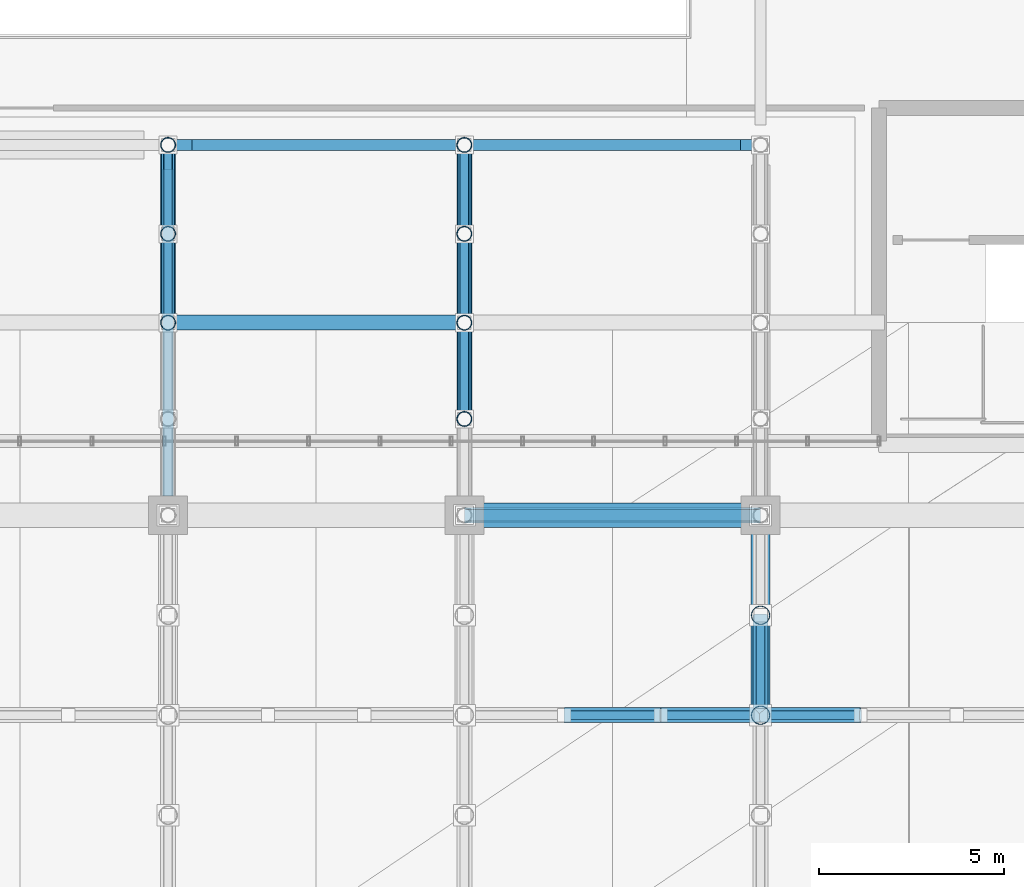
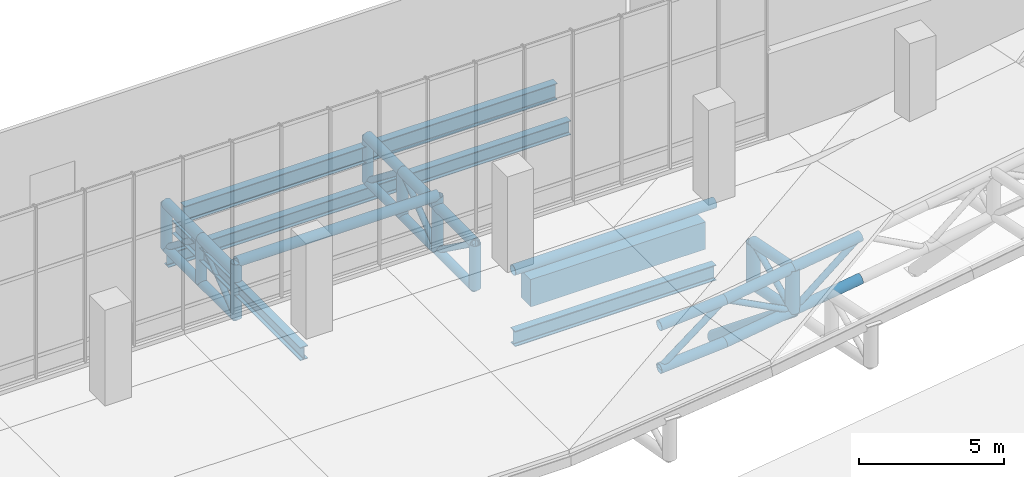
# One storey, part 31 of 137: 39 members, 5 beams.
"""IFC4 building model written with IfcOpenShell, lengths in metres."""

from ifc_helpers import new_model, si_unit, direction, frame, origin, origin_2d, place, context, subcontext, project, spatial, rectangle, hollow_circle, i_section, extrude, material, material_profile, profile_set, type_object, element, save


model = new_model("IFC4")

# Units and contexts
model_context = context("Model", 3, precision=1e-05, world=origin(), true_north=direction((0.0, 1.0)))
body_context = subcontext(model_context, "Body", "Model", "MODEL_VIEW")
ifc_project = project(units=[si_unit("LENGTHUNIT", "METRE"), si_unit("AREAUNIT", "SQUARE_METRE"), si_unit("VOLUMEUNIT", "CUBIC_METRE"), si_unit("PLANEANGLEUNIT", "RADIAN"), si_unit("MASSUNIT", "GRAM", prefix="KILO")], contexts=[model_context])

# Site, building, storey
site_placement = place(None, origin())
site = spatial("IfcSite", under=ifc_project, at=site_placement, CompositionType="ELEMENT")
building_placement = place(site_placement, origin())
building = spatial("IfcBuilding", under=site, at=building_placement, Name="Khorjan Park Terminus", CompositionType="ELEMENT")
storey_placement = place(building_placement, frame((0.0, 0.0, 11.4)))
storey = spatial("IfcBuildingStorey", under=building, at=storey_placement, Name="L02", CompositionType="ELEMENT", Elevation=11.4)

# Beams
ifc_material_1 = material(Name="Steel S355", Category="steel")
ifc_material_profile_1 = material_profile(ifc_material_1, i_section(OverallWidth=0.3, OverallDepth=0.59, WebThickness=0.013, FlangeThickness=0.025, FilletRadius=0.027, at=origin_2d()), Name="HEA 600")
ifc_profile_set_1 = profile_set([ifc_material_profile_1], Name="Steel S355")
beam_type_1 = type_object("IfcBeamType", Name="BM-HEA600", PredefinedType="BEAM", material=ifc_profile_set_1)
beam_1_placement = place(storey_placement, frame((96.0, 36.0, -2.395), z_axis=(1.0, 0.0, 0.0), x_axis=(0.0, 1.0, 0.0)))
element("IfcBeam", 1, at=beam_1_placement, inside=storey, type_object=beam_type_1, Name="Lower shell truss support girder SB-A60 (X25)", PredefinedType="BEAM", context=body_context, shape_type="SweptSolid", body=[
    extrude(i_section(OverallWidth=0.3, OverallDepth=0.59, WebThickness=0.013, FlangeThickness=0.025, FilletRadius=0.027, at=origin_2d()), origin(), (0.0, 0.0, 1.0), 16.0),
])
ifc_material_profile_2 = material_profile(ifc_material_1, i_section(OverallWidth=0.3, OverallDepth=0.69, WebThickness=0.0145, FlangeThickness=0.027, FilletRadius=0.027, at=origin_2d()), Name="HEA 700")
ifc_profile_set_2 = profile_set([ifc_material_profile_2], Name="Steel S355")
beam_type_2 = type_object("IfcBeamType", Name="BM-HEA700", PredefinedType="BEAM", material=ifc_profile_set_2)
beam_2_placement = place(storey_placement, frame((96.645, 36.0, -0.685), z_axis=(1.0, 0.0, 0.0), x_axis=(0.0, 1.0, 0.0)))
element("IfcBeam", 2, at=beam_2_placement, inside=storey, type_object=beam_type_2, Name="Primary floor girder SB-A70 (L02)", PredefinedType="BEAM", context=body_context, shape_type="SweptSolid", body=[
    extrude(i_section(OverallWidth=0.3, OverallDepth=0.69, WebThickness=0.0145, FlangeThickness=0.027, FilletRadius=0.027, at=origin_2d()), origin(), (0.0, 0.0, 1.0), 14.81),
])
ifc_material_profile_3 = material_profile(ifc_material_1, i_section(OverallWidth=0.3, OverallDepth=0.55, WebThickness=0.015, FlangeThickness=0.029, FilletRadius=0.027, at=origin_2d()), Name="HEB 550")
ifc_profile_set_3 = profile_set([ifc_material_profile_3], Name="Steel S355")
beam_type_3 = type_object("IfcBeamType", Name="BM-HEB550", PredefinedType="BEAM", material=ifc_profile_set_3)
beam_3_placement = place(storey_placement, frame((96.0, 26.52, -0.615), z_axis=(0.0, 1.0, 0.0), x_axis=(-1.0, 0.0, 0.0)))
element("IfcBeam", 3, at=beam_3_placement, inside=storey, type_object=beam_type_3, Name="Primary floor girder SB-B55 (L02)", PredefinedType="BEAM", context=body_context, shape_type="SweptSolid", body=[
    extrude(i_section(OverallWidth=0.3, OverallDepth=0.55, WebThickness=0.015, FlangeThickness=0.029, FilletRadius=0.027, at=origin_2d()), origin(), (0.0, 0.0, 1.0), 8.835),
])

# Members
ifc_material_profile_4 = material_profile(ifc_material_1, hollow_circle(Radius=0.1222, WallThickness=0.0125, at=origin_2d()), Name="CHS 244.5x12.5")
ifc_profile_set_4 = profile_set([ifc_material_profile_4], Name="Steel S355")
member_type_1 = type_object("IfcMemberType", Name="MB-BR-245", PredefinedType="BRACE", material=ifc_profile_set_4)
for number, where, z_axis, x_axis, name in (
    (4, (96.0, 31.2, -1.92), (0.0, 0.788820985003, 0.614623017482), (-1.0, 0.0, 0.0), "Lower shell cantilever truss diagonal (7S)"),
    (5, (96.0, 33.6, -0.05), (0.0, 0.788820985003, -0.614623017482), (-1.0, 0.0, 0.0), "Lower shell cantilever truss diagonal (7S)"),
):
    element("IfcMember", number, at=place(storey_placement, frame(where, z_axis=z_axis, x_axis=x_axis)), inside=storey, type_object=member_type_1, Name=name, PredefinedType="BRACE", context=body_context, shape_type="SweptSolid", body=[
        extrude(hollow_circle(Radius=0.1222, WallThickness=0.0125, at=origin_2d()), origin(), (0.0, 0.0, 1.0), 3.0425),
    ])
member_1_placement = place(storey_placement, frame((104.0, 28.6, -0.05), z_axis=(0.0, 0.811830357573, -0.583893372562), x_axis=(-1.0, 0.0, 0.0)))
element("IfcMember", 6, at=member_1_placement, inside=storey, type_object=member_type_1, Name="Lower shell cantilever truss diagonal (8S)", PredefinedType="BRACE", context=body_context, shape_type="SweptSolid", body=[
    extrude(hollow_circle(Radius=0.1222, WallThickness=0.0125, at=origin_2d()), origin(), (0.0, 0.0, 1.0), 3.2026),
])
for number, where, z_axis, x_axis, name in (
    (7, (104.0, 31.2, -1.92), (0.0, 0.788820985003, 0.614623017482), (-1.0, 0.0, 0.0), "Lower shell cantilever truss diagonal (8S)"),
    (8, (104.0, 33.6, -0.05), (0.0, 0.788820985003, -0.614623017482), (-1.0, 0.0, 0.0), "Lower shell cantilever truss diagonal (8S)"),
):
    element("IfcMember", number, at=place(storey_placement, frame(where, z_axis=z_axis, x_axis=x_axis)), inside=storey, type_object=member_type_1, Name=name, PredefinedType="BRACE", context=body_context, shape_type="SweptSolid", body=[
        extrude(hollow_circle(Radius=0.1222, WallThickness=0.0125, at=origin_2d()), origin(), (0.0, 0.0, 1.0), 3.0425),
    ])
ifc_material_profile_5 = material_profile(ifc_material_1, hollow_circle(Radius=0.1222, WallThickness=0.0125, at=origin_2d()), Name="CHS 244.5x12.5")
ifc_profile_set_5 = profile_set([ifc_material_profile_5], Name="Steel S355")
member_type_2 = type_object("IfcMemberType", Name="MB-BRE-245", PredefinedType="BRACE", material=ifc_profile_set_5)
member_2_placement = place(storey_placement, frame((112.0, 20.6, -0.8277), z_axis=(0.0, 0.906376008919, 0.422471928602), x_axis=(-1.0, 0.0, 0.0)))
element("IfcMember", 9, at=member_2_placement, inside=storey, type_object=member_type_2, Name="Lower shell cantilever truss diagonal (9S)", PredefinedType="BRACE", context=body_context, shape_type="SweptSolid", body=[
    extrude(hollow_circle(Radius=0.1222, WallThickness=0.0125, at=origin_2d()), origin(), (0.0, 0.0, 1.0), 2.9789),
])
member_3_placement = place(storey_placement, frame((106.7, 20.6, -1.408), z_axis=(0.794304066927, 0.0, 0.607520410573), x_axis=(0.0, 1.0, 0.0)))
element("IfcMember", 10, at=member_3_placement, inside=storey, type_object=member_type_2, Name="Lower shell mid-ring diagonal (S27)", PredefinedType="BRACE", context=body_context, shape_type="SweptSolid", body=[
    extrude(hollow_circle(Radius=0.1222, WallThickness=0.0125, at=origin_2d()), origin(), (0.0, 0.0, 1.0), 3.2733),
])
member_4_placement = place(storey_placement, frame((109.3, 20.6, 0.5806), z_axis=(0.886638123473, 0.0, -0.462463877514), x_axis=(0.0, 1.0, 0.0)))
element("IfcMember", 11, at=member_4_placement, inside=storey, type_object=member_type_2, Name="Lower shell mid-ring diagonal (S28)", PredefinedType="BRACE", context=body_context, shape_type="SweptSolid", body=[
    extrude(hollow_circle(Radius=0.1222, WallThickness=0.0125, at=origin_2d()), origin(), (0.0, 0.0, 1.0), 3.0452),
])
member_5_placement = place(storey_placement, frame((112.0, 20.6, -0.8277), z_axis=(0.776388351996, 0.0, 0.630254811076), x_axis=(0.0, 1.0, 0.0)))
element("IfcMember", 12, at=member_5_placement, inside=storey, type_object=member_type_2, Name="Lower shell mid-ring diagonal (S29)", PredefinedType="BRACE", context=body_context, shape_type="SweptSolid", body=[
    extrude(hollow_circle(Radius=0.1222, WallThickness=0.0125, at=origin_2d()), origin(), (0.0, 0.0, 1.0), 3.4776),
])
ifc_material_profile_6 = material_profile(ifc_material_1, hollow_circle(Radius=0.1778, WallThickness=0.016, at=origin_2d()), Name="CHS 355.6x16")
ifc_profile_set_6 = profile_set([ifc_material_profile_6], Name="Steel S355")
member_type_3 = type_object("IfcMemberType", Name="MB-CH-356", PredefinedType="CHORD", material=ifc_profile_set_6)
for number, where, z_axis, x_axis, name in (
    (13, (96.0, 31.2, -1.92), (0.0, 1.0, 0.0), (-1.0, 0.0, 0.0), "Lower shell cantilever truss bottom chord (7S)"),
    (14, (96.0, 33.6, -1.92), (0.0, 1.0, 0.0), (-1.0, 0.0, 0.0), "Lower shell cantilever truss bottom chord (7S)"),
):
    element("IfcMember", number, at=place(storey_placement, frame(where, z_axis=z_axis, x_axis=x_axis)), inside=storey, type_object=member_type_3, Name=name, PredefinedType="CHORD", context=body_context, shape_type="SweptSolid", body=[
        extrude(hollow_circle(Radius=0.1778, WallThickness=0.016, at=origin_2d()), origin(), (0.0, 0.0, 1.0), 2.4),
    ])
member_6_placement = place(storey_placement, frame((104.0, 28.6, -1.92), z_axis=(0.0, 1.0, 0.0), x_axis=(-1.0, 0.0, 0.0)))
element("IfcMember", 15, at=member_6_placement, inside=storey, type_object=member_type_3, Name="Lower shell cantilever truss bottom chord (8S)", PredefinedType="CHORD", context=body_context, shape_type="SweptSolid", body=[
    extrude(hollow_circle(Radius=0.1778, WallThickness=0.016, at=origin_2d()), origin(), (0.0, 0.0, 1.0), 2.6),
])
for number, where, z_axis, x_axis, name in (
    (16, (104.0, 31.2, -1.92), (0.0, 1.0, 0.0), (-1.0, 0.0, 0.0), "Lower shell cantilever truss bottom chord (8S)"),
    (17, (104.0, 33.6, -1.92), (0.0, 1.0, 0.0), (-1.0, 0.0, 0.0), "Lower shell cantilever truss bottom chord (8S)"),
):
    element("IfcMember", number, at=place(storey_placement, frame(where, z_axis=z_axis, x_axis=x_axis)), inside=storey, type_object=member_type_3, Name=name, PredefinedType="CHORD", context=body_context, shape_type="SweptSolid", body=[
        extrude(hollow_circle(Radius=0.1778, WallThickness=0.016, at=origin_2d()), origin(), (0.0, 0.0, 1.0), 2.4),
    ])
ifc_material_profile_7 = material_profile(ifc_material_1, hollow_circle(Radius=0.2032, WallThickness=0.016, at=origin_2d()), Name="CHS 406.4x16")
ifc_profile_set_7 = profile_set([ifc_material_profile_7], Name="Steel S355")
member_type_4 = type_object("IfcMemberType", Name="MB-CH-406", PredefinedType="CHORD", material=ifc_profile_set_7)
member_7_placement = place(storey_placement, frame((96.0, 31.2, 0.392), z_axis=(1.0, 0.0, 0.0), x_axis=(0.0, 1.0, 0.0)))
element("IfcMember", 18, at=member_7_placement, inside=storey, type_object=member_type_4, Name="Lower wrapping shell rim chord (81)", PredefinedType="CHORD", context=body_context, shape_type="SweptSolid", body=[
    extrude(hollow_circle(Radius=0.2032, WallThickness=0.016, at=origin_2d()), origin(), (0.0, 0.0, 1.0), 8.0),
])
for number, where, z_axis, x_axis, name in (
    (19, (96.0, 31.2, -0.05), (0.0, 1.0, 0.0), (-1.0, 0.0, 0.0), "Lower shell cantilever truss top chord (7S)"),
    (20, (96.0, 33.6, -0.05), (0.0, 1.0, 0.0), (-1.0, 0.0, 0.0), "Lower shell cantilever truss top chord (7S)"),
):
    element("IfcMember", number, at=place(storey_placement, frame(where, z_axis=z_axis, x_axis=x_axis)), inside=storey, type_object=member_type_4, Name=name, PredefinedType="CHORD", context=body_context, shape_type="SweptSolid", body=[
        extrude(hollow_circle(Radius=0.2032, WallThickness=0.016, at=origin_2d()), origin(), (0.0, 0.0, 1.0), 2.4),
    ])
member_8_placement = place(storey_placement, frame((104.0, 28.6, -0.05), z_axis=(0.0, 1.0, 0.0), x_axis=(-1.0, 0.0, 0.0)))
element("IfcMember", 21, at=member_8_placement, inside=storey, type_object=member_type_4, Name="Lower shell cantilever truss top chord (8S)", PredefinedType="CHORD", context=body_context, shape_type="SweptSolid", body=[
    extrude(hollow_circle(Radius=0.2032, WallThickness=0.016, at=origin_2d()), origin(), (0.0, 0.0, 1.0), 2.6),
])
for number, where, z_axis, x_axis, name in (
    (22, (104.0, 31.2, -0.05), (0.0, 1.0, 0.0), (-1.0, 0.0, 0.0), "Lower shell cantilever truss top chord (8S)"),
    (23, (104.0, 33.6, -0.05), (0.0, 1.0, 0.0), (-1.0, 0.0, 0.0), "Lower shell cantilever truss top chord (8S)"),
):
    element("IfcMember", number, at=place(storey_placement, frame(where, z_axis=z_axis, x_axis=x_axis)), inside=storey, type_object=member_type_4, Name=name, PredefinedType="CHORD", context=body_context, shape_type="SweptSolid", body=[
        extrude(hollow_circle(Radius=0.2032, WallThickness=0.016, at=origin_2d()), origin(), (0.0, 0.0, 1.0), 2.4),
    ])
ifc_material_profile_8 = material_profile(ifc_material_1, hollow_circle(Radius=0.2032, WallThickness=0.016, at=origin_2d()), Name="CHS 406.4x16")
ifc_profile_set_8 = profile_set([ifc_material_profile_8], Name="Steel S355")
member_type_5 = type_object("IfcMemberType", Name="MB-CHE-406", PredefinedType="CHORD", material=ifc_profile_set_8)
member_9_placement = place(storey_placement, frame((104.0, 26.0, 0.392), z_axis=(0.999988238957, 0.0, 0.004849942959), x_axis=(0.0, 1.0, 0.0)))
element("IfcMember", 24, at=member_9_placement, inside=storey, type_object=member_type_5, Name="Lower wrapping shell rim chord (66)", PredefinedType="CHORD", context=body_context, shape_type="SweptSolid", body=[
    extrude(hollow_circle(Radius=0.2032, WallThickness=0.016, at=origin_2d()), origin(), (0.0, 0.0, 1.0), 8.0001),
])
for number, where, z_axis, x_axis, name in (
    (25, (112.0, 20.6, 0.9723), (0.0, 0.980475784127, -0.196639865594), (-1.0, 0.0, 0.0), "Lower shell cantilever truss top chord (9S)"),
    (26, (112.0, 20.6, -0.8277), (0.0, 0.980475784127, -0.196639865594), (-1.0, 0.0, 0.0), "Lower shell cantilever truss bottom chord (9S)"),
):
    element("IfcMember", number, at=place(storey_placement, frame(where, z_axis=z_axis, x_axis=x_axis)), inside=storey, type_object=member_type_5, Name=name, PredefinedType="CHORD", context=body_context, shape_type="SweptSolid", body=[
        extrude(hollow_circle(Radius=0.2032, WallThickness=0.016, at=origin_2d()), origin(), (0.0, 0.0, 1.0), 2.7538),
    ])
for number, where, z_axis, x_axis, name in (
    (27, (106.7, 20.6, 0.392), (0.997379423046, 0.0, 0.072348368918), (0.0, 1.0, 0.0), "Lower shell mid-ring top chord (S27)"),
    (28, (106.7, 20.6, -1.408), (0.997379423046, 0.0, 0.072348368918), (0.0, 1.0, 0.0), "Lower shell mid-ring bottom chord (S27)"),
):
    element("IfcMember", number, at=place(storey_placement, frame(where, z_axis=z_axis, x_axis=x_axis)), inside=storey, type_object=member_type_5, Name=name, PredefinedType="CHORD", context=body_context, shape_type="SweptSolid", body=[
        extrude(hollow_circle(Radius=0.2032, WallThickness=0.016, at=origin_2d()), origin(), (0.0, 0.0, 1.0), 2.6068),
    ])
for number, where, z_axis, x_axis, name in (
    (29, (109.3, 20.6, 0.5806), (0.989640003825, 0.0, 0.143571107222), (0.0, 1.0, 0.0), "Lower shell mid-ring top chord (S28)"),
    (30, (109.3, 20.6, -1.2194), (0.989640003825, 0.0, 0.143571107222), (0.0, 1.0, 0.0), "Lower shell mid-ring bottom chord (S28)"),
    (31, (112.0, 20.6, 0.9723), (0.98963479536, 0.0, 0.143607004749), (0.0, 1.0, 0.0), "Lower shell mid-ring top chord (S29)"),
    (32, (112.0, 20.6, -0.8277), (0.98963479536, 0.0, 0.143607004749), (0.0, 1.0, 0.0), "Lower shell mid-ring bottom chord (S29)"),
):
    element("IfcMember", number, at=place(storey_placement, frame(where, z_axis=z_axis, x_axis=x_axis)), inside=storey, type_object=member_type_5, Name=name, PredefinedType="CHORD", context=body_context, shape_type="SweptSolid", body=[
        extrude(hollow_circle(Radius=0.2032, WallThickness=0.016, at=origin_2d()), origin(), (0.0, 0.0, 1.0), 2.7283),
    ])
ifc_material_profile_9 = material_profile(ifc_material_1, hollow_circle(Radius=0.2032, WallThickness=0.016, at=origin_2d()), Name="CHS 406.4x16")
ifc_profile_set_9 = profile_set([ifc_material_profile_9], Name="Steel S355")
member_type_6 = type_object("IfcMemberType", Name="MB-ST-406", PredefinedType="STRUT", material=ifc_profile_set_9)
member_10_placement = place(storey_placement, frame((96.0, 31.2, -1.92), z_axis=(0.0, 0.0, 1.0), x_axis=(1.0, 0.0, 0.0)))
element("IfcMember", 33, at=member_10_placement, inside=storey, type_object=member_type_6, Name="Lower shell cantilever truss post (7S)", PredefinedType="STRUT", context=body_context, shape_type="SweptSolid", body=[
    extrude(hollow_circle(Radius=0.2032, WallThickness=0.016, at=origin_2d()), origin(), (0.0, 0.0, 1.0), 2.312),
])
for number, where, z_axis, x_axis, name in (
    (34, (96.0, 33.6, -1.92), (0.0, 0.0, 1.0), (1.0, 0.0, 0.0), "Lower shell cantilever truss post (7S)"),
    (35, (96.0, 36.0, -1.92), (0.0, 0.0, 1.0), (1.0, 0.0, 0.0), "Lower shell cantilever truss post (7S)"),
    (36, (104.0, 28.6, -1.92), (0.0, 0.0, 1.0), (1.0, 0.0, 0.0), "Lower shell cantilever truss post (8S)"),
):
    element("IfcMember", number, at=place(storey_placement, frame(where, z_axis=z_axis, x_axis=x_axis)), inside=storey, type_object=member_type_6, Name=name, PredefinedType="STRUT", context=body_context, shape_type="SweptSolid", body=[
        extrude(hollow_circle(Radius=0.2032, WallThickness=0.016, at=origin_2d()), origin(), (0.0, 0.0, 1.0), 1.87),
    ])
member_11_placement = place(storey_placement, frame((104.0, 31.2, -1.92), z_axis=(0.0, 0.0, 1.0), x_axis=(1.0, 0.0, 0.0)))
element("IfcMember", 37, at=member_11_placement, inside=storey, type_object=member_type_6, Name="Lower shell cantilever truss post (8S)", PredefinedType="STRUT", context=body_context, shape_type="SweptSolid", body=[
    extrude(hollow_circle(Radius=0.2032, WallThickness=0.016, at=origin_2d()), origin(), (0.0, 0.0, 1.0), 2.312),
])
for number, where, z_axis, x_axis, name in (
    (38, (104.0, 33.6, -1.92), (0.0, 0.0, 1.0), (1.0, 0.0, 0.0), "Lower shell cantilever truss post (8S)"),
    (39, (104.0, 36.0, -1.92), (0.0, 0.0, 1.0), (1.0, 0.0, 0.0), "Lower shell cantilever truss post (8S)"),
):
    element("IfcMember", number, at=place(storey_placement, frame(where, z_axis=z_axis, x_axis=x_axis)), inside=storey, type_object=member_type_6, Name=name, PredefinedType="STRUT", context=body_context, shape_type="SweptSolid", body=[
        extrude(hollow_circle(Radius=0.2032, WallThickness=0.016, at=origin_2d()), origin(), (0.0, 0.0, 1.0), 1.87),
    ])
ifc_material_profile_10 = material_profile(ifc_material_1, hollow_circle(Radius=0.254, WallThickness=0.02, at=origin_2d()), Name="CHS 508x20")
ifc_profile_set_10 = profile_set([ifc_material_profile_10], Name="Steel S355")
member_type_7 = type_object("IfcMemberType", Name="MB-STE-508", PredefinedType="STRUT", material=ifc_profile_set_10)
for number, where, z_axis, x_axis, name in (
    (40, (112.0, 20.6, -0.8277), (0.0, 0.0, 1.0), (1.0, 0.0, 0.0), "Lower shell cantilever truss post (9S)"),
    (41, (112.0, 23.3, -1.3692), (0.0, 0.0, 1.0), (1.0, 0.0, 0.0), "Lower shell cantilever truss post (9S)"),
):
    element("IfcMember", number, at=place(storey_placement, frame(where, z_axis=z_axis, x_axis=x_axis)), inside=storey, type_object=member_type_7, Name=name, PredefinedType="STRUT", context=body_context, shape_type="SweptSolid", body=[
        extrude(hollow_circle(Radius=0.254, WallThickness=0.02, at=origin_2d()), origin(), (0.0, 0.0, 1.0), 1.8),
    ])
member_12_placement = place(storey_placement, frame((112.0, 26.0, -5.2), z_axis=(0.0, -0.777183532211, 0.629273992201), x_axis=(1.0, 0.0, 0.0)))
element("IfcMember", 42, at=member_12_placement, inside=storey, type_object=member_type_7, Name="Lower shell raked overhang V-strut STE-51 (9S)", PredefinedType="STRUT", context=body_context, shape_type="SweptSolid", body=[
    extrude(hollow_circle(Radius=0.254, WallThickness=0.02, at=origin_2d()), origin(), (0.0, 0.0, 1.0), 6.9482),
])

# Beams
ifc_material_profile_11 = material_profile(ifc_material_1, i_section(OverallWidth=0.3, OverallDepth=0.65, WebThickness=0.016, FlangeThickness=0.031, FilletRadius=0.027, at=origin_2d()), Name="HEB 650")
ifc_profile_set_11 = profile_set([ifc_material_profile_11], Name="Steel S355")
beam_type_4 = type_object("IfcBeamType", Name="SP-HEB650E", PredefinedType="SPANDREL", material=ifc_profile_set_11)
beam_4_placement = place(storey_placement, frame((104.0, 26.0, -2.425), z_axis=(1.0, 0.0, 0.0), x_axis=(0.0, 1.0, 0.0)))
element("IfcBeam", 43, at=beam_4_placement, inside=storey, type_object=beam_type_4, Name="Lower shell truss support girder SP-E65 (X8)", PredefinedType="SPANDREL", context=body_context, shape_type="SweptSolid", body=[
    extrude(i_section(OverallWidth=0.3, OverallDepth=0.65, WebThickness=0.016, FlangeThickness=0.031, FilletRadius=0.027, at=origin_2d()), origin(), (0.0, 0.0, 1.0), 8.0),
])
ifc_material_2 = material(Name="Concrete C50/60", Category="concrete")
ifc_material_profile_12 = material_profile(ifc_material_2, rectangle(XDim=0.65, YDim=1.15, at=origin_2d()), Name="RC 650x1150")
ifc_profile_set_12 = profile_set([ifc_material_profile_12], Name="Concrete C50/60")
beam_type_5 = type_object("IfcBeamType", Name="SP-RC650x1150", PredefinedType="SPANDREL", material=ifc_profile_set_12)
beam_5_placement = place(storey_placement, frame((104.52, 26.0, -0.575), z_axis=(1.0, 0.0, 0.0), x_axis=(0.0, 1.0, 0.0)))
element("IfcBeam", 44, at=beam_5_placement, inside=storey, type_object=beam_type_5, Name="Concourse lower colonnade ring beam SP-11 (L02-51)", PredefinedType="SPANDREL", context=body_context, shape_type="SweptSolid", body=[
    extrude(rectangle(XDim=0.65, YDim=1.15, at=origin_2d()), origin(), (0.0, 0.0, 1.0), 6.96),
])

save(model, "model.ifc")
